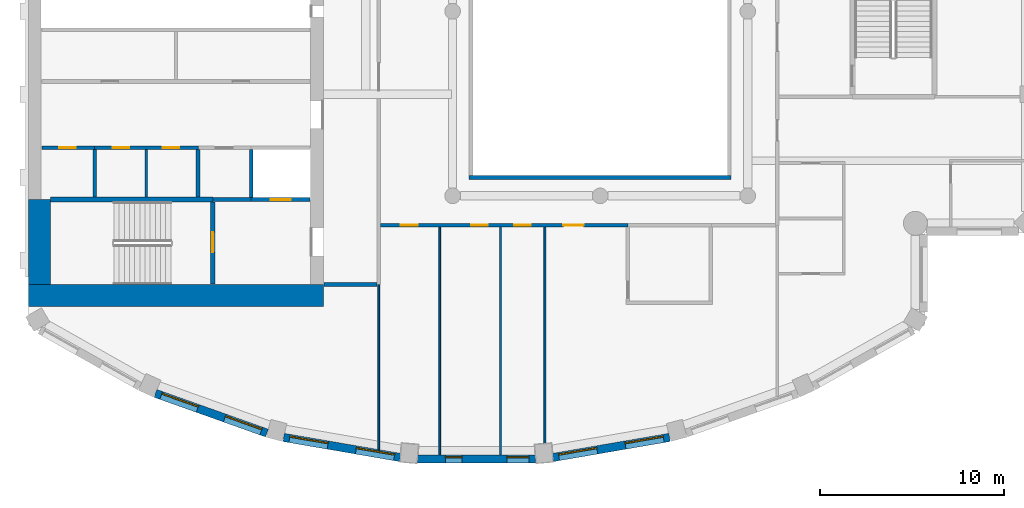
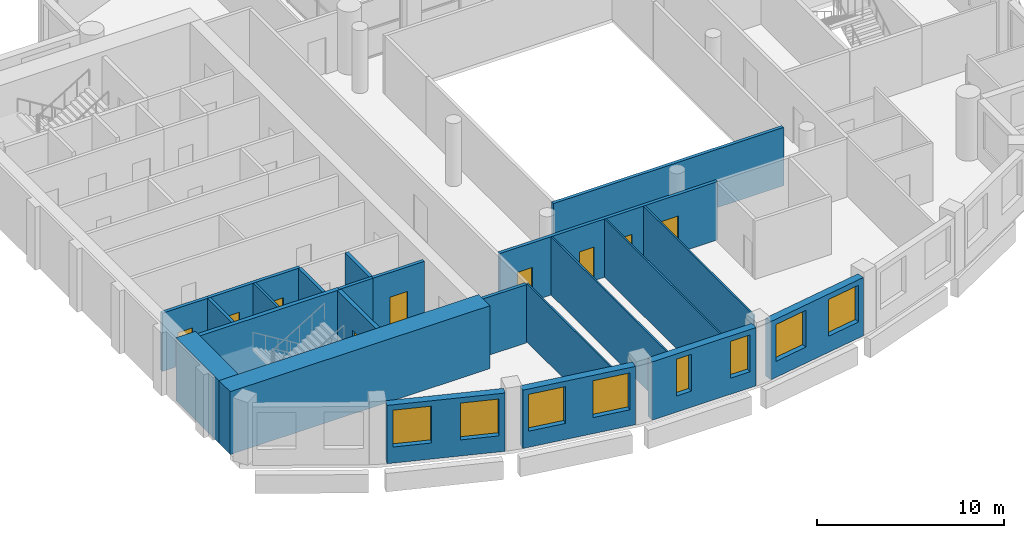
# One storey, part 4 of 14: 23 walls, 9 doors, 8 windows, 17 openings.
"""IFC4 building model written with IfcOpenShell, lengths in metres."""

from ifc_helpers import new_model, si_unit, direction, frame, frame_2d, origin, place, context, subcontext, project, spatial, rectangle, extrude, material, layer, layer_set, type_object, element, fill, save


model = new_model("IFC4")

# Units and contexts
model_context = context("Model", 3, precision=1e-05, world=origin(), true_north=direction((0.0, 1.0)))
body_context = subcontext(model_context, "Body", "Model", "MODEL_VIEW")
ifc_project = project(units=[si_unit("LENGTHUNIT", "METRE"), si_unit("AREAUNIT", "SQUARE_METRE"), si_unit("VOLUMEUNIT", "CUBIC_METRE"), si_unit("PLANEANGLEUNIT", "RADIAN"), si_unit("MASSUNIT", "GRAM", prefix="KILO")], contexts=[model_context])

# Site, building, storey
site_placement = place(None, origin())
site = spatial("IfcSite", under=ifc_project, at=site_placement, CompositionType="ELEMENT")
building_placement = place(site_placement, origin())
building = spatial("IfcBuilding", under=site, at=building_placement, Name="Cypress Arch Tower", CompositionType="ELEMENT")
storey_placement = place(building_placement, frame((0.0, 0.0, 300.800048828125)))
storey = spatial("IfcBuildingStorey", under=building, at=storey_placement, Name="L68", CompositionType="ELEMENT", Elevation=300.800048828125)

# Wall, openings, windows
ifc_material_1 = material(Name="Brick (red buff blend)", Category="masonry")
ifc_layer_1 = layer(ifc_material_1, 0.449951171875)
ifc_layer_set_1 = layer_set([ifc_layer_1], Name="Brick pier and spandrel wall BW450")
wall_type_1 = type_object("IfcWallType", Name="Brick pier and spandrel wall BW450", PredefinedType="SOLIDWALL", material=ifc_layer_set_1)
wall_1_placement = place(storey_placement, frame((-23.10498046875, -20.70947265625, 0.0), z_axis=(0.0, 0.0, 1.0), x_axis=(0.942104058931, -0.335320655711, 0.0)))
wall_1 = element("IfcWall", 1, at=wall_1_placement, inside=storey, type_object=wall_type_1, Name="Brick wall L68 C09.0", PredefinedType="SOLIDWALL", context=body_context, shape_type="SweptSolid", body=[
    extrude(rectangle(XDim=6.411376953125, YDim=0.449951171875, at=frame_2d((3.20556640625, 0.0))), origin(), (0.0, 0.0, 1.0), 3.800048828125),
])
opening_1_placement = place(wall_1_placement, frame((0.3271484375, 0.0, 1.050048828125)))
opening_1 = element("IfcOpeningElement", 2, at=opening_1_placement, cuts=wall_1, Name="Opening W210O", PredefinedType="OPENING", context=body_context, shape_type="SweptSolid", body=[
    extrude(rectangle(XDim=2.10009765625, YDim=2.39990234375, at=frame_2d((1.050048828125, 1.199951171875))), frame((0.0, 0.23486328125, 0.0), z_axis=(0.0, -1.0, 0.0), x_axis=(1.0, 0.0, 0.0)), (0.0, 0.0, 1.0), 0.469970703125),
])
opening_2_placement = place(wall_1_placement, frame((3.984619140625, 0.0, 1.050048828125)))
opening_2 = element("IfcOpeningElement", 3, at=opening_2_placement, cuts=wall_1, Name="Opening W210O", PredefinedType="OPENING", context=body_context, shape_type="SweptSolid", body=[
    extrude(rectangle(XDim=2.10009765625, YDim=2.39990234375, at=frame_2d((1.050048828125, 1.199951171875))), frame((0.0, 0.23486328125, 0.0), z_axis=(0.0, -1.0, 0.0), x_axis=(1.0, 0.0, 0.0)), (0.0, 0.0, 1.0), 0.469970703125),
])
ifc_material_2 = material(Name="Anodised aluminium, bronze finish, clear low-emissivity double glazing", Category="aluminium")
window_type_1 = type_object("IfcWindowType", Name="Window Office 2100x2400", PartitioningType="SINGLE_PANEL", PredefinedType="WINDOW", material=ifc_material_2)
window_1_placement = place(opening_1_placement, origin())
window_1 = element("IfcWindow", 4, at=window_1_placement, inside=storey, type_object=window_type_1, Name="Window L68 C09.0.1", OverallHeight=2.39990234375, OverallWidth=2.10009765625, PartitioningType="SINGLE_PANEL", PredefinedType="WINDOW", context=body_context, shape_type="SweptSolid", body=[
    extrude(rectangle(XDim=2.10009765625, YDim=2.39990234375, at=frame_2d((1.050048828125, 1.199951171875))), frame((0.0, 0.135009765625, 0.0), z_axis=(0.0, -1.0, 0.0), x_axis=(1.0, 0.0, 0.0)), (0.0, 0.0, 1.0), 0.06005859375),
])
fill(opening_1, window_1)
window_2_placement = place(opening_2_placement, origin())
window_2 = element("IfcWindow", 5, at=window_2_placement, inside=storey, type_object=window_type_1, Name="Window L68 C09.0.2", OverallHeight=2.39990234375, OverallWidth=2.10009765625, PartitioningType="SINGLE_PANEL", PredefinedType="WINDOW", context=body_context, shape_type="SweptSolid", body=[
    extrude(rectangle(XDim=2.10009765625, YDim=2.39990234375, at=frame_2d((1.050048828125, 1.199951171875))), frame((0.0, 0.135009765625, 0.0), z_axis=(0.0, -1.0, 0.0), x_axis=(1.0, 0.0, 0.0)), (0.0, 0.0, 1.0), 0.06005859375),
])
fill(opening_2, window_2)

wall_2_placement = place(storey_placement, frame((-16.15673828125, -23.09716796875, 0.0), z_axis=(0.0, 0.0, 1.0), x_axis=(0.985502073964, -0.169663379113, 0.0)))
wall_2 = element("IfcWall", 6, at=wall_2_placement, inside=storey, type_object=wall_type_1, Name="Brick wall L68 C10.0", PredefinedType="SOLIDWALL", context=body_context, shape_type="SweptSolid", body=[
    extrude(rectangle(XDim=6.412109375, YDim=0.449951171875, at=frame_2d((3.2060546875, 0.0))), origin(), (0.0, 0.0, 1.0), 3.800048828125),
])
opening_3_placement = place(wall_2_placement, frame((0.3271484375, 0.0, 1.050048828125)))
opening_3 = element("IfcOpeningElement", 7, at=opening_3_placement, cuts=wall_2, Name="Opening W210O", PredefinedType="OPENING", context=body_context, shape_type="SweptSolid", body=[
    extrude(rectangle(XDim=2.10009765625, YDim=2.39990234375, at=frame_2d((1.050048828125, 1.199951171875))), frame((0.0, 0.23486328125, 0.0), z_axis=(0.0, -1.0, 0.0), x_axis=(1.0, 0.0, 0.0)), (0.0, 0.0, 1.0), 0.469970703125),
])
opening_4_placement = place(wall_2_placement, frame((3.98486328125, 0.0, 1.050048828125)))
opening_4 = element("IfcOpeningElement", 8, at=opening_4_placement, cuts=wall_2, Name="Opening W210O", PredefinedType="OPENING", context=body_context, shape_type="SweptSolid", body=[
    extrude(rectangle(XDim=2.10009765625, YDim=2.39990234375, at=frame_2d((1.050048828125, 1.199951171875))), frame((0.0, 0.23486328125, 0.0), z_axis=(0.0, -1.0, 0.0), x_axis=(1.0, 0.0, 0.0)), (0.0, 0.0, 1.0), 0.469970703125),
])
window_3_placement = place(opening_3_placement, origin())
window_3 = element("IfcWindow", 9, at=window_3_placement, inside=storey, type_object=window_type_1, Name="Window L68 C10.0.1", OverallHeight=2.39990234375, OverallWidth=2.10009765625, PartitioningType="SINGLE_PANEL", PredefinedType="WINDOW", context=body_context, shape_type="SweptSolid", body=[
    extrude(rectangle(XDim=2.10009765625, YDim=2.39990234375, at=frame_2d((1.050048828125, 1.199951171875))), frame((0.0, 0.135009765625, 0.0), z_axis=(0.0, -1.0, 0.0), x_axis=(1.0, 0.0, 0.0)), (0.0, 0.0, 1.0), 0.06005859375),
])
fill(opening_3, window_3)
window_4_placement = place(opening_4_placement, origin())
window_4 = element("IfcWindow", 10, at=window_4_placement, inside=storey, type_object=window_type_1, Name="Window L68 C10.0.2", OverallHeight=2.39990234375, OverallWidth=2.10009765625, PartitioningType="SINGLE_PANEL", PredefinedType="WINDOW", context=body_context, shape_type="SweptSolid", body=[
    extrude(rectangle(XDim=2.10009765625, YDim=2.39990234375, at=frame_2d((1.050048828125, 1.199951171875))), frame((0.0, 0.135009765625, 0.0), z_axis=(0.0, -1.0, 0.0), x_axis=(1.0, 0.0, 0.0)), (0.0, 0.0, 1.0), 0.06005859375),
])
fill(opening_4, window_4)

wall_3_placement = place(storey_placement, frame((-8.90283203125, -24.264892578125, 0.0), z_axis=(0.0, 0.0, 1.0), x_axis=(1.0, 0.0, 0.0)))
wall_3 = element("IfcWall", 11, at=wall_3_placement, inside=storey, type_object=wall_type_1, Name="Brick wall L68 C11.0", PredefinedType="SOLIDWALL", context=body_context, shape_type="SweptSolid", body=[
    extrude(rectangle(XDim=6.405517578125, YDim=0.449951171875, at=frame_2d((3.20263671875, 0.0))), origin(), (0.0, 0.0, 1.0), 3.800048828125),
])
opening_5_placement = place(wall_3_placement, frame((1.51416015625, 0.0, 1.050048828125)))
opening_5 = element("IfcOpeningElement", 12, at=opening_5_placement, cuts=wall_3, Name="Opening W090O", PredefinedType="OPENING", context=body_context, shape_type="SweptSolid", body=[
    extrude(rectangle(XDim=0.89990234375, YDim=2.39990234375, at=frame_2d((0.449951171875, 1.199951171875))), frame((0.0, 0.23486328125, 0.0), z_axis=(0.0, -1.0, 0.0), x_axis=(1.0, 0.0, 0.0)), (0.0, 0.0, 1.0), 0.469970703125),
])
opening_6_placement = place(wall_3_placement, frame((4.84130859375, 0.0, 1.050048828125)))
opening_6 = element("IfcOpeningElement", 13, at=opening_6_placement, cuts=wall_3, Name="Opening W120O", PredefinedType="OPENING", context=body_context, shape_type="SweptSolid", body=[
    extrude(rectangle(XDim=1.199951171875, YDim=2.39990234375, at=frame_2d((0.60009765625, 1.199951171875))), frame((0.0, 0.23486328125, 0.0), z_axis=(0.0, -1.0, 0.0), x_axis=(1.0, 0.0, 0.0)), (0.0, 0.0, 1.0), 0.469970703125),
])
ifc_material_3 = material(Name="Anodised aluminium, bronze finish, clear low-emissivity double glazing", Category="aluminium")
window_type_2 = type_object("IfcWindowType", Name="Window Office 1200x2400", PartitioningType="SINGLE_PANEL", PredefinedType="WINDOW", material=ifc_material_3)
window_5_placement = place(opening_6_placement, origin())
window_5 = element("IfcWindow", 14, at=window_5_placement, inside=storey, type_object=window_type_2, Name="Window L68 C11.0.2", OverallHeight=2.39990234375, OverallWidth=1.199951171875, PartitioningType="SINGLE_PANEL", PredefinedType="WINDOW", context=body_context, shape_type="SweptSolid", body=[
    extrude(rectangle(XDim=1.199951171875, YDim=2.39990234375, at=frame_2d((0.60009765625, 1.199951171875))), frame((0.0, 0.135009765625, 0.0), z_axis=(0.0, -1.0, 0.0), x_axis=(1.0, 0.0, 0.0)), (0.0, 0.0, 1.0), 0.06005859375),
])
fill(opening_6, window_5)
ifc_material_4 = material(Name="Anodised aluminium, bronze finish, clear low-emissivity double glazing", Category="aluminium")
window_type_3 = type_object("IfcWindowType", Name="Window Office 900x2400", PartitioningType="SINGLE_PANEL", PredefinedType="WINDOW", material=ifc_material_4)
window_6_placement = place(opening_5_placement, origin())
window_6 = element("IfcWindow", 15, at=window_6_placement, inside=storey, type_object=window_type_3, Name="Window L68 C11.0.1", OverallHeight=2.39990234375, OverallWidth=0.89990234375, PartitioningType="SINGLE_PANEL", PredefinedType="WINDOW", context=body_context, shape_type="SweptSolid", body=[
    extrude(rectangle(XDim=0.89990234375, YDim=2.39990234375, at=frame_2d((0.449951171875, 1.199951171875))), frame((0.0, 0.135009765625, 0.0), z_axis=(0.0, -1.0, 0.0), x_axis=(1.0, 0.0, 0.0)), (0.0, 0.0, 1.0), 0.06005859375),
])
fill(opening_5, window_6)

wall_4_placement = place(storey_placement, frame((-1.562255859375, -24.18505859375, 0.0), z_axis=(0.0, 0.0, 1.0), x_axis=(0.985502073964, 0.169663379113, 0.0)))
wall_4 = element("IfcWall", 16, at=wall_4_placement, inside=storey, type_object=wall_type_1, Name="Brick wall L68 C12.0", PredefinedType="SOLIDWALL", context=body_context, shape_type="SweptSolid", body=[
    extrude(rectangle(XDim=6.412109375, YDim=0.449951171875, at=frame_2d((3.2060546875, 0.0))), origin(), (0.0, 0.0, 1.0), 3.800048828125),
])
opening_7_placement = place(wall_4_placement, frame((0.3271484375, 0.0, 1.050048828125)))
opening_7 = element("IfcOpeningElement", 17, at=opening_7_placement, cuts=wall_4, Name="Opening W210O", PredefinedType="OPENING", context=body_context, shape_type="SweptSolid", body=[
    extrude(rectangle(XDim=2.10009765625, YDim=2.39990234375, at=frame_2d((1.050048828125, 1.199951171875))), frame((0.0, 0.23486328125, 0.0), z_axis=(0.0, -1.0, 0.0), x_axis=(1.0, 0.0, 0.0)), (0.0, 0.0, 1.0), 0.469970703125),
])
opening_8_placement = place(wall_4_placement, frame((3.98486328125, 0.0, 1.050048828125)))
opening_8 = element("IfcOpeningElement", 18, at=opening_8_placement, cuts=wall_4, Name="Opening W210O", PredefinedType="OPENING", context=body_context, shape_type="SweptSolid", body=[
    extrude(rectangle(XDim=2.10009765625, YDim=2.39990234375, at=frame_2d((1.050048828125, 1.199951171875))), frame((0.0, 0.23486328125, 0.0), z_axis=(0.0, -1.0, 0.0), x_axis=(1.0, 0.0, 0.0)), (0.0, 0.0, 1.0), 0.469970703125),
])
window_7_placement = place(opening_7_placement, origin())
window_7 = element("IfcWindow", 19, at=window_7_placement, inside=storey, type_object=window_type_1, Name="Window L68 C12.0.1", OverallHeight=2.39990234375, OverallWidth=2.10009765625, PartitioningType="SINGLE_PANEL", PredefinedType="WINDOW", context=body_context, shape_type="SweptSolid", body=[
    extrude(rectangle(XDim=2.10009765625, YDim=2.39990234375, at=frame_2d((1.050048828125, 1.199951171875))), frame((0.0, 0.135009765625, 0.0), z_axis=(0.0, -1.0, 0.0), x_axis=(1.0, 0.0, 0.0)), (0.0, 0.0, 1.0), 0.06005859375),
])
fill(opening_7, window_7)
window_8_placement = place(opening_8_placement, origin())
window_8 = element("IfcWindow", 20, at=window_8_placement, inside=storey, type_object=window_type_1, Name="Window L68 C12.0.2", OverallHeight=2.39990234375, OverallWidth=2.10009765625, PartitioningType="SINGLE_PANEL", PredefinedType="WINDOW", context=body_context, shape_type="SweptSolid", body=[
    extrude(rectangle(XDim=2.10009765625, YDim=2.39990234375, at=frame_2d((1.050048828125, 1.199951171875))), frame((0.0, 0.135009765625, 0.0), z_axis=(0.0, -1.0, 0.0), x_axis=(1.0, 0.0, 0.0)), (0.0, 0.0, 1.0), 0.06005859375),
])
fill(opening_8, window_8)

# Walls
ifc_material_5 = material(Name="Concrete C60/75", Category="concrete")
ifc_layer_2 = layer(ifc_material_5, 1.199951171875)
ifc_layer_set_2 = layer_set([ifc_layer_2], Name="Core wall CW1200 C60/75")
wall_type_2 = type_object("IfcWallType", Name="Core wall CW1200 C60/75", PredefinedType="SHEAR", material=ifc_layer_set_2)
wall_5_placement = place(storey_placement, frame((-30.0, -15.39990234375, 0.0), z_axis=(0.0, 0.0, 1.0), x_axis=(1.0, 0.0, 0.0)))
element("IfcWall", 21, at=wall_5_placement, inside=storey, type_object=wall_type_2, Name="Core wall", PredefinedType="SHEAR", context=body_context, shape_type="SweptSolid", body=[
    extrude(rectangle(XDim=16.0, YDim=1.199951171875, at=frame_2d((8.0, 0.0))), origin(), (0.0, 0.0, 1.0), 4.099853515625),
])
wall_6_placement = place(storey_placement, frame((-29.39990234375, -14.800048828125, 0.0), z_axis=(0.0, 0.0, 1.0), x_axis=(0.0, 1.0, 0.0)))
element("IfcWall", 22, at=wall_6_placement, inside=storey, type_object=wall_type_2, Name="Core wall", PredefinedType="SHEAR", context=body_context, shape_type="SweptSolid", body=[
    extrude(rectangle(XDim=4.60009765625, YDim=1.199951171875, at=frame_2d((2.300048828125, 0.0))), origin(), (0.0, 0.0, 1.0), 4.099853515625),
])

# Wall, openings, doors
ifc_material_6 = material(Name="Concrete blockwork, plastered, rated", Category="masonry")
ifc_layer_3 = layer(ifc_material_6, 0.199951171875)
ifc_layer_set_3 = layer_set([ifc_layer_3], Name="Corridor wall FW200")
wall_type_3 = type_object("IfcWallType", Name="Corridor wall FW200", PredefinedType="PARTITIONING", material=ifc_layer_set_3)
wall_7_placement = place(storey_placement, frame((-26.419921875, -7.39990234375, 0.0), z_axis=(0.0, 0.0, 1.0), x_axis=(1.0, 0.0, 0.0)))
wall_7 = element("IfcWall", 23, at=wall_7_placement, inside=storey, type_object=wall_type_3, Name="Corridor wall", PredefinedType="PARTITIONING", context=body_context, shape_type="SweptSolid", body=[
    extrude(rectangle(XDim=5.639892578125, YDim=0.199951171875, at=frame_2d((2.81982421875, 0.0))), origin(), (0.0, 0.0, 1.0), 3.800048828125),
])
opening_9_placement = place(wall_7_placement, frame((1.0, 0.0, 0.0)))
opening_9 = element("IfcOpeningElement", 24, at=opening_9_placement, cuts=wall_7, Name="Opening D05", PredefinedType="OPENING", context=body_context, shape_type="SweptSolid", body=[
    extrude(rectangle(XDim=0.89990234375, YDim=2.199951171875, at=frame_2d((0.449951171875, 1.10009765625))), frame((0.0, 0.10986328125, 0.0), z_axis=(0.0, -1.0, 0.0), x_axis=(1.0, 0.0, 0.0)), (0.0, 0.0, 1.0), 0.219970703125),
])
opening_10_placement = place(wall_7_placement, frame((3.699951171875, 0.0, 0.0)))
opening_10 = element("IfcOpeningElement", 25, at=opening_10_placement, cuts=wall_7, Name="Opening D05", PredefinedType="OPENING", context=body_context, shape_type="SweptSolid", body=[
    extrude(rectangle(XDim=0.89990234375, YDim=2.199951171875, at=frame_2d((0.449951171875, 1.10009765625))), frame((0.0, 0.10986328125, 0.0), z_axis=(0.0, -1.0, 0.0), x_axis=(1.0, 0.0, 0.0)), (0.0, 0.0, 1.0), 0.219970703125),
])
ifc_material_7 = material(Name="Timber flush door", Category="wood")
door_type_1 = type_object("IfcDoorType", Name="Service door D05 900x2200", OperationType="SINGLE_SWING_LEFT", PredefinedType="DOOR", material=ifc_material_7)
door_1_placement = place(opening_9_placement, origin())
door_1 = element("IfcDoor", 26, at=door_1_placement, inside=storey, type_object=door_type_1, Name="Service door", OperationType="SINGLE_SWING_LEFT", OverallHeight=2.199951171875, OverallWidth=0.89990234375, PredefinedType="DOOR", context=body_context, shape_type="SweptSolid", body=[
    extrude(rectangle(XDim=0.89990234375, YDim=2.199951171875, at=frame_2d((0.449951171875, 1.10009765625))), frame((0.0, 0.02490234375, 0.0), z_axis=(0.0, -1.0, 0.0), x_axis=(1.0, 0.0, 0.0)), (0.0, 0.0, 1.0), 0.050048828125),
])
fill(opening_9, door_1)
door_2_placement = place(opening_10_placement, origin())
door_2 = element("IfcDoor", 27, at=door_2_placement, inside=storey, type_object=door_type_1, Name="Service door", OperationType="SINGLE_SWING_RIGHT", OverallHeight=2.199951171875, OverallWidth=0.89990234375, PredefinedType="DOOR", context=body_context, shape_type="SweptSolid", body=[
    extrude(rectangle(XDim=0.89990234375, YDim=2.199951171875, at=frame_2d((0.449951171875, 1.10009765625))), frame((0.0, 0.02490234375, 0.0), z_axis=(0.0, -1.0, 0.0), x_axis=(1.0, 0.0, 0.0)), (0.0, 0.0, 1.0), 0.050048828125),
])
fill(opening_10, door_2)

# Wall
wall_8_placement = place(storey_placement, frame((-13.969970703125, -14.800048828125, 0.0), z_axis=(0.0, 0.0, 1.0), x_axis=(1.0, 0.0, 0.0)))
element("IfcWall", 28, at=wall_8_placement, inside=storey, type_object=wall_type_3, Name="Corridor wall", PredefinedType="PARTITIONING", context=body_context, shape_type="SweptSolid", body=[
    extrude(rectangle(XDim=2.869873046875, YDim=0.199951171875, at=frame_2d((1.43505859375, 0.0))), origin(), (0.0, 0.0, 1.0), 3.800048828125),
])

# Wall, openings, doors
wall_9_placement = place(storey_placement, frame((-10.89990234375, -11.60009765625, 0.0), z_axis=(0.0, 0.0, 1.0), x_axis=(1.0, 0.0, 0.0)))
wall_9 = element("IfcWall", 29, at=wall_9_placement, inside=storey, type_object=wall_type_3, Name="Corridor wall", PredefinedType="PARTITIONING", context=body_context, shape_type="SweptSolid", body=[
    extrude(rectangle(XDim=13.4208984375, YDim=0.199951171875, at=frame_2d((6.71044921875, 0.0))), origin(), (0.0, 0.0, 1.0), 3.800048828125),
])
opening_11_placement = place(wall_9_placement, frame((1.10009765625, 0.0, 0.0)))
opening_11 = element("IfcOpeningElement", 30, at=opening_11_placement, cuts=wall_9, Name="Opening D03", PredefinedType="OPENING", context=body_context, shape_type="SweptSolid", body=[
    extrude(rectangle(XDim=0.89990234375, YDim=2.199951171875, at=frame_2d((0.449951171875, 1.10009765625))), frame((0.0, 0.10986328125, 0.0), z_axis=(0.0, -1.0, 0.0), x_axis=(1.0, 0.0, 0.0)), (0.0, 0.0, 1.0), 0.219970703125),
])
opening_12_placement = place(wall_9_placement, frame((4.89990234375, 0.0, 0.0)))
opening_12 = element("IfcOpeningElement", 31, at=opening_12_placement, cuts=wall_9, Name="Opening D03", PredefinedType="OPENING", context=body_context, shape_type="SweptSolid", body=[
    extrude(rectangle(XDim=0.89990234375, YDim=2.199951171875, at=frame_2d((0.449951171875, 1.10009765625))), frame((0.0, 0.10986328125, 0.0), z_axis=(0.0, -1.0, 0.0), x_axis=(1.0, 0.0, 0.0)), (0.0, 0.0, 1.0), 0.219970703125),
])
opening_13_placement = place(wall_9_placement, frame((7.25, 0.0, 0.0)))
opening_13 = element("IfcOpeningElement", 32, at=opening_13_placement, cuts=wall_9, Name="Opening D03", PredefinedType="OPENING", context=body_context, shape_type="SweptSolid", body=[
    extrude(rectangle(XDim=0.89990234375, YDim=2.199951171875, at=frame_2d((0.449951171875, 1.10009765625))), frame((0.0, 0.10986328125, 0.0), z_axis=(0.0, -1.0, 0.0), x_axis=(1.0, 0.0, 0.0)), (0.0, 0.0, 1.0), 0.219970703125),
])
opening_14_placement = place(wall_9_placement, frame((9.89990234375, 0.0, 0.0)))
opening_14 = element("IfcOpeningElement", 33, at=opening_14_placement, cuts=wall_9, Name="Opening D01", PredefinedType="OPENING", context=body_context, shape_type="SweptSolid", body=[
    extrude(rectangle(XDim=1.10009765625, YDim=2.39990234375, at=frame_2d((0.550048828125, 1.199951171875))), frame((0.0, 0.10986328125, 0.0), z_axis=(0.0, -1.0, 0.0), x_axis=(1.0, 0.0, 0.0)), (0.0, 0.0, 1.0), 0.219970703125),
])
ifc_material_8 = material(Name="Timber flush door, moisture resistant", Category="wood")
door_type_2 = type_object("IfcDoorType", Name="Bathroom door D03 900x2200", OperationType="SINGLE_SWING_LEFT", PredefinedType="DOOR", material=ifc_material_8)
door_3_placement = place(opening_11_placement, origin())
door_3 = element("IfcDoor", 34, at=door_3_placement, inside=storey, type_object=door_type_2, Name="Bathroom door", OperationType="SINGLE_SWING_RIGHT", OverallHeight=2.199951171875, OverallWidth=0.89990234375, PredefinedType="DOOR", context=body_context, shape_type="SweptSolid", body=[
    extrude(rectangle(XDim=0.89990234375, YDim=2.199951171875, at=frame_2d((0.449951171875, 1.10009765625))), frame((0.0, 0.02490234375, 0.0), z_axis=(0.0, -1.0, 0.0), x_axis=(1.0, 0.0, 0.0)), (0.0, 0.0, 1.0), 0.050048828125),
])
fill(opening_11, door_3)
door_4_placement = place(opening_12_placement, origin())
door_4 = element("IfcDoor", 35, at=door_4_placement, inside=storey, type_object=door_type_2, Name="Bathroom door", OperationType="SINGLE_SWING_LEFT", OverallHeight=2.199951171875, OverallWidth=0.89990234375, PredefinedType="DOOR", context=body_context, shape_type="SweptSolid", body=[
    extrude(rectangle(XDim=0.89990234375, YDim=2.199951171875, at=frame_2d((0.449951171875, 1.10009765625))), frame((0.0, 0.02490234375, 0.0), z_axis=(0.0, -1.0, 0.0), x_axis=(1.0, 0.0, 0.0)), (0.0, 0.0, 1.0), 0.050048828125),
])
fill(opening_12, door_4)
door_5_placement = place(opening_13_placement, origin())
door_5 = element("IfcDoor", 36, at=door_5_placement, inside=storey, type_object=door_type_2, Name="Bathroom door", OperationType="SINGLE_SWING_LEFT", OverallHeight=2.199951171875, OverallWidth=0.89990234375, PredefinedType="DOOR", context=body_context, shape_type="SweptSolid", body=[
    extrude(rectangle(XDim=0.89990234375, YDim=2.199951171875, at=frame_2d((0.449951171875, 1.10009765625))), frame((0.0, 0.02490234375, 0.0), z_axis=(0.0, -1.0, 0.0), x_axis=(1.0, 0.0, 0.0)), (0.0, 0.0, 1.0), 0.050048828125),
])
fill(opening_13, door_5)
ifc_material_9 = material(Name="Timber flush door, fire resisting, self-closing", Category="wood")
door_type_3 = type_object("IfcDoorType", Name="Unit entrance door D01 1100x2400", OperationType="SINGLE_SWING_LEFT", PredefinedType="DOOR", material=ifc_material_9)
door_6_placement = place(opening_14_placement, origin())
door_6 = element("IfcDoor", 37, at=door_6_placement, inside=storey, type_object=door_type_3, Name="Unit entrance door", OperationType="SINGLE_SWING_RIGHT", OverallHeight=2.39990234375, OverallWidth=1.10009765625, PredefinedType="DOOR", context=body_context, shape_type="SweptSolid", body=[
    extrude(rectangle(XDim=1.10009765625, YDim=2.39990234375, at=frame_2d((0.550048828125, 1.199951171875))), frame((0.0, 0.02490234375, 0.0), z_axis=(0.0, -1.0, 0.0), x_axis=(1.0, 0.0, 0.0)), (0.0, 0.0, 1.0), 0.050048828125),
])
fill(opening_14, door_6)

# Walls
wall_10_placement = place(storey_placement, frame((-6.10009765625, -9.0, 0.0), z_axis=(0.0, 0.0, 1.0), x_axis=(1.0, 0.0, 0.0)))
element("IfcWall", 38, at=wall_10_placement, inside=storey, type_object=wall_type_3, Name="Corridor wall", PredefinedType="PARTITIONING", context=body_context, shape_type="SweptSolid", body=[
    extrude(rectangle(XDim=14.2001953125, YDim=0.199951171875, at=frame_2d((7.10009765625, 0.0))), origin(), (0.0, 0.0, 1.0), 3.800048828125),
])
ifc_material_10 = material(Name="Blockwork, plastered both sides", Category="masonry")
ifc_layer_4 = layer(ifc_material_10, 0.14990234375)
ifc_layer_set_4 = layer_set([ifc_layer_4], Name="Partition PW150")
wall_type_4 = type_object("IfcWallType", Name="Partition PW150", PredefinedType="PARTITIONING", material=ifc_layer_set_4)
wall_11_placement = place(storey_placement, frame((-23.60009765625, -10.074951171875, 0.0), z_axis=(0.0, 0.0, 1.0), x_axis=(0.0, 1.0, 0.0)))
element("IfcWall", 39, at=wall_11_placement, inside=storey, type_object=wall_type_4, Name="Partition", PredefinedType="PARTITIONING", context=body_context, shape_type="SweptSolid", body=[
    extrude(rectangle(XDim=2.574951171875, YDim=0.14990234375, at=frame_2d((1.28759765625, 0.0))), origin(), (0.0, 0.0, 1.0), 3.800048828125),
])

# Wall, opening, door
ifc_material_11 = material(Name="Reinforced blockwork, plastered, rated", Category="masonry")
ifc_layer_5 = layer(ifc_material_11, 0.199951171875)
ifc_layer_set_5 = layer_set([ifc_layer_5], Name="Plant and riser wall PL200")
wall_type_5 = type_object("IfcWallType", Name="Plant and riser wall PL200", PredefinedType="PARTITIONING", material=ifc_layer_set_5)
wall_12_placement = place(storey_placement, frame((-29.27001953125, -7.39990234375, 0.0), z_axis=(0.0, 0.0, 1.0), x_axis=(1.0, 0.0, 0.0)))
wall_12 = element("IfcWall", 40, at=wall_12_placement, inside=storey, type_object=wall_type_5, Name="Plant and riser wall", PredefinedType="PARTITIONING", context=body_context, shape_type="SweptSolid", body=[
    extrude(rectangle(XDim=2.85009765625, YDim=0.199951171875, at=frame_2d((1.425048828125, 0.0))), origin(), (0.0, 0.0, 1.0), 3.800048828125),
])
opening_15_placement = place(wall_12_placement, frame((0.949951171875, 0.0, 0.0)))
opening_15 = element("IfcOpeningElement", 41, at=opening_15_placement, cuts=wall_12, Name="Opening D05", PredefinedType="OPENING", context=body_context, shape_type="SweptSolid", body=[
    extrude(rectangle(XDim=0.89990234375, YDim=2.199951171875, at=frame_2d((0.449951171875, 1.10009765625))), frame((0.0, 0.10986328125, 0.0), z_axis=(0.0, -1.0, 0.0), x_axis=(1.0, 0.0, 0.0)), (0.0, 0.0, 1.0), 0.219970703125),
])
door_7_placement = place(opening_15_placement, origin())
door_7 = element("IfcDoor", 42, at=door_7_placement, inside=storey, type_object=door_type_1, Name="Service door", OperationType="SINGLE_SWING_LEFT", OverallHeight=2.199951171875, OverallWidth=0.89990234375, PredefinedType="DOOR", context=body_context, shape_type="SweptSolid", body=[
    extrude(rectangle(XDim=0.89990234375, YDim=2.199951171875, at=frame_2d((0.449951171875, 1.10009765625))), frame((0.0, 0.02490234375, 0.0), z_axis=(0.0, -1.0, 0.0), x_axis=(1.0, 0.0, 0.0)), (0.0, 0.0, 1.0), 0.050048828125),
])
fill(opening_15, door_7)

# Walls
for number, where, z_axis, x_axis, name in (
    (43, (-26.39990234375, -10.074951171875, 0.0), (0.0, 0.0, 1.0), (0.0, 1.0, 0.0), "Plant and riser wall"),
    (44, (-20.800048828125, -10.074951171875, 0.0), (0.0, 0.0, 1.0), (0.0, 1.0, 0.0), "Plant and riser wall"),
):
    element("IfcWall", number, at=place(storey_placement, frame(where, z_axis=z_axis, x_axis=x_axis)), inside=storey, type_object=wall_type_5, Name=name, PredefinedType="PARTITIONING", context=body_context, shape_type="SweptSolid", body=[
        extrude(rectangle(XDim=2.574951171875, YDim=0.199951171875, at=frame_2d((1.28759765625, 0.0))), origin(), (0.0, 0.0, 1.0), 3.800048828125),
    ])
wall_13_placement = place(storey_placement, frame((-20.0, -10.199951171875, 0.0), z_axis=(0.0, 0.0, 1.0), x_axis=(1.0, 0.0, 0.0)))
element("IfcWall", 45, at=wall_13_placement, inside=storey, type_object=wall_type_5, Name="Plant and riser wall", PredefinedType="PARTITIONING", context=body_context, shape_type="SweptSolid", body=[
    extrude(rectangle(XDim=2.080078125, YDim=0.199951171875, at=frame_2d((1.0400390625, 0.0))), origin(), (0.0, 0.0, 1.0), 3.800048828125),
])
ifc_material_12 = material(Name="Concrete C50/60", Category="concrete")
ifc_layer_6 = layer(ifc_material_12, 0.199951171875)
ifc_layer_set_6 = layer_set([ifc_layer_6], Name="Shaft wall SH200")
wall_type_6 = type_object("IfcWallType", Name="Shaft wall SH200", PredefinedType="SHEAR", material=ifc_layer_set_6)
wall_14_placement = place(storey_placement, frame((-17.919921875, -10.10009765625, 0.0), z_axis=(0.0, 0.0, 1.0), x_axis=(0.0, 1.0, 0.0)))
element("IfcWall", 46, at=wall_14_placement, inside=storey, type_object=wall_type_6, Name="Shaft wall", PredefinedType="SHEAR", context=body_context, shape_type="SweptSolid", body=[
    extrude(rectangle(XDim=2.60009765625, YDim=0.199951171875, at=frame_2d((1.300048828125, 0.0))), origin(), (0.0, 0.0, 1.0), 3.800048828125),
])

# Wall, opening, door
wall_15_placement = place(storey_placement, frame((-17.919921875, -10.199951171875, 0.0), z_axis=(0.0, 0.0, 1.0), x_axis=(1.0, 0.0, 0.0)))
wall_15 = element("IfcWall", 47, at=wall_15_placement, inside=storey, type_object=wall_type_6, Name="Shaft wall", PredefinedType="SHEAR", context=body_context, shape_type="SweptSolid", body=[
    extrude(rectangle(XDim=3.18994140625, YDim=0.199951171875, at=frame_2d((1.594970703125, 0.0))), origin(), (0.0, 0.0, 1.0), 3.800048828125),
])
opening_16_placement = place(wall_15_placement, frame((1.050048828125, 0.0, 0.0)))
opening_16 = element("IfcOpeningElement", 48, at=opening_16_placement, cuts=wall_15, Name="Opening LD-FL1", PredefinedType="OPENING", context=body_context, shape_type="SweptSolid", body=[
    extrude(rectangle(XDim=1.10009765625, YDim=2.199951171875, at=frame_2d((0.550048828125, 1.10009765625))), frame((0.0, 0.10986328125, 0.0), z_axis=(0.0, -1.0, 0.0), x_axis=(1.0, 0.0, 0.0)), (0.0, 0.0, 1.0), 0.219970703125),
])
ifc_material_13 = material(Name="Stainless steel centre-opening landing door, rated", Category="steel")
door_type_4 = type_object("IfcDoorType", Name="Lift landing door LD 1100x2200", OperationType="DOUBLE_DOOR_SLIDING", PredefinedType="DOOR", material=ifc_material_13)
door_8_placement = place(opening_16_placement, origin())
door_8 = element("IfcDoor", 49, at=door_8_placement, inside=storey, type_object=door_type_4, Name="Lift landing doors FL1", OperationType="DOUBLE_DOOR_SLIDING", OverallHeight=2.199951171875, OverallWidth=1.10009765625, PredefinedType="DOOR", context=body_context, shape_type="SweptSolid", body=[
    extrude(rectangle(XDim=1.10009765625, YDim=2.199951171875, at=frame_2d((0.550048828125, 1.10009765625))), frame((0.0, 0.02490234375, 0.0), z_axis=(0.0, -1.0, 0.0), x_axis=(1.0, 0.0, 0.0)), (0.0, 0.0, 1.0), 0.050048828125),
])
fill(opening_16, door_8)

# Wall
ifc_material_14 = material(Name="Concrete C50/60", Category="concrete")
ifc_layer_7 = layer(ifc_material_14, 0.25)
ifc_layer_set_7 = layer_set([ifc_layer_7], Name="Stair enclosure wall SW250")
wall_type_7 = type_object("IfcWallType", Name="Stair enclosure wall SW250", PredefinedType="SHEAR", material=ifc_layer_set_7)
wall_16_placement = place(storey_placement, frame((-28.81005859375, -10.199951171875, 0.0), z_axis=(0.0, 0.0, 1.0), x_axis=(1.0, 0.0, 0.0)))
element("IfcWall", 50, at=wall_16_placement, inside=storey, type_object=wall_type_7, Name="Stair enclosure wall", PredefinedType="SHEAR", context=body_context, shape_type="SweptSolid", body=[
    extrude(rectangle(XDim=8.81005859375, YDim=0.25, at=frame_2d((4.405029296875, 0.0))), origin(), (0.0, 0.0, 1.0), 3.800048828125),
])

# Wall, opening, door
wall_17_placement = place(storey_placement, frame((-20.0, -14.77001953125, 0.0), z_axis=(0.0, 0.0, 1.0), x_axis=(0.0, 1.0, 0.0)))
wall_17 = element("IfcWall", 51, at=wall_17_placement, inside=storey, type_object=wall_type_7, Name="Stair enclosure wall", PredefinedType="SHEAR", context=body_context, shape_type="SweptSolid", body=[
    extrude(rectangle(XDim=4.445068359375, YDim=0.25, at=frame_2d((2.22265625, 0.0))), origin(), (0.0, 0.0, 1.0), 3.800048828125),
])
opening_17_placement = place(wall_17_placement, frame((1.699951171875, 0.0, 0.0)))
opening_17 = element("IfcOpeningElement", 52, at=opening_17_placement, cuts=wall_17, Name="Opening D06", PredefinedType="OPENING", context=body_context, shape_type="SweptSolid", body=[
    extrude(rectangle(XDim=1.10009765625, YDim=2.199951171875, at=frame_2d((0.550048828125, 1.10009765625))), frame((0.0, 0.135009765625, 0.0), z_axis=(0.0, -1.0, 0.0), x_axis=(1.0, 0.0, 0.0)), (0.0, 0.0, 1.0), 0.27001953125),
])
ifc_material_15 = material(Name="Steel door, fire resisting, panic bar", Category="steel")
door_type_5 = type_object("IfcDoorType", Name="Stair door D06 1100x2200", OperationType="SINGLE_SWING_LEFT", PredefinedType="DOOR", material=ifc_material_15)
door_9_placement = place(opening_17_placement, origin())
door_9 = element("IfcDoor", 53, at=door_9_placement, inside=storey, type_object=door_type_5, Name="Stair door", OperationType="SINGLE_SWING_RIGHT", OverallHeight=2.199951171875, OverallWidth=1.10009765625, PredefinedType="DOOR", context=body_context, shape_type="SweptSolid", body=[
    extrude(rectangle(XDim=1.10009765625, YDim=2.199951171875, at=frame_2d((0.550048828125, 1.10009765625))), frame((0.0, 0.02490234375, 0.0), z_axis=(0.0, -1.0, 0.0), x_axis=(1.0, 0.0, 0.0)), (0.0, 0.0, 1.0), 0.050048828125),
])
fill(opening_17, door_9)

# Walls
ifc_material_16 = material(Name="Moisture resistant board on steel studs, tiled", Category="steel")
ifc_layer_8 = layer(ifc_material_16, 0.10009765625)
ifc_layer_set_8 = layer_set([ifc_layer_8], Name="Wet wall PW100")
wall_type_8 = type_object("IfcWallType", Name="Wet wall PW100", PredefinedType="PARTITIONING", material=ifc_layer_set_8)
wall_18_placement = place(storey_placement, frame((-11.0, -23.756591796875, 0.0), z_axis=(0.0, 0.0, 1.0), x_axis=(0.0, 1.0, 0.0)))
element("IfcWall", 54, at=wall_18_placement, inside=storey, type_object=wall_type_8, Name="Wet wall", PredefinedType="PARTITIONING", context=body_context, shape_type="SweptSolid", body=[
    extrude(rectangle(XDim=8.9365234375, YDim=0.10009765625, at=frame_2d((4.46826171875, 0.0))), origin(), (0.0, 0.0, 1.0), 3.800048828125),
])
for number, where, z_axis, x_axis, name in (
    (55, (-7.699951171875, -24.0400390625, 0.0), (0.0, 0.0, 1.0), (0.0, 1.0, 0.0), "Wet wall"),
    (56, (-4.39990234375, -24.0400390625, 0.0), (0.0, 0.0, 1.0), (0.0, 1.0, 0.0), "Wet wall"),
):
    element("IfcWall", number, at=place(storey_placement, frame(where, z_axis=z_axis, x_axis=x_axis)), inside=storey, type_object=wall_type_8, Name=name, PredefinedType="PARTITIONING", context=body_context, shape_type="SweptSolid", body=[
        extrude(rectangle(XDim=12.340087890625, YDim=0.10009765625, at=frame_2d((6.169921875, 0.0))), origin(), (0.0, 0.0, 1.0), 3.800048828125),
    ])
wall_19_placement = place(storey_placement, frame((-2.0, -23.447265625, 0.0), z_axis=(0.0, 0.0, 1.0), x_axis=(0.0, 1.0, 0.0)))
element("IfcWall", 57, at=wall_19_placement, inside=storey, type_object=wall_type_8, Name="Wet wall", PredefinedType="PARTITIONING", context=body_context, shape_type="SweptSolid", body=[
    extrude(rectangle(XDim=11.747314453125, YDim=0.10009765625, at=frame_2d((5.87353515625, 0.0))), origin(), (0.0, 0.0, 1.0), 3.800048828125),
])

save(model, "model.ifc")
